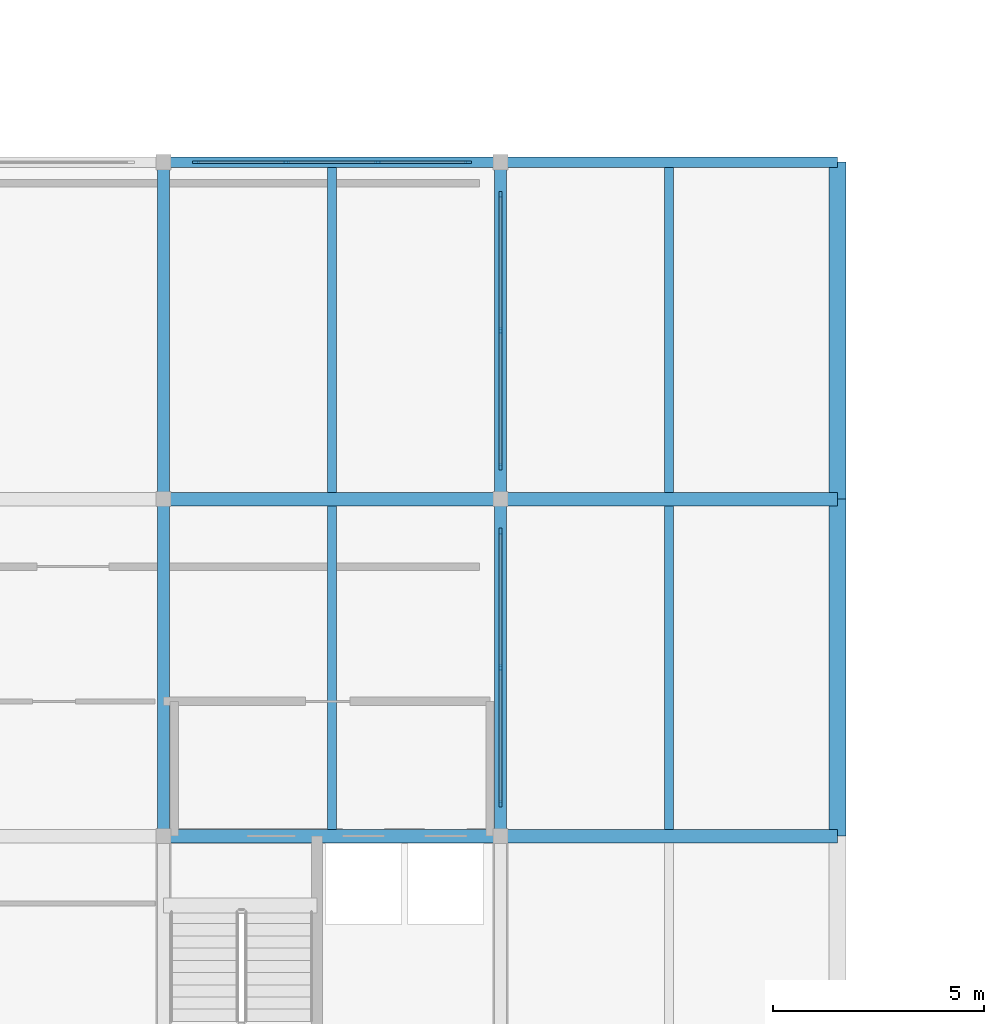
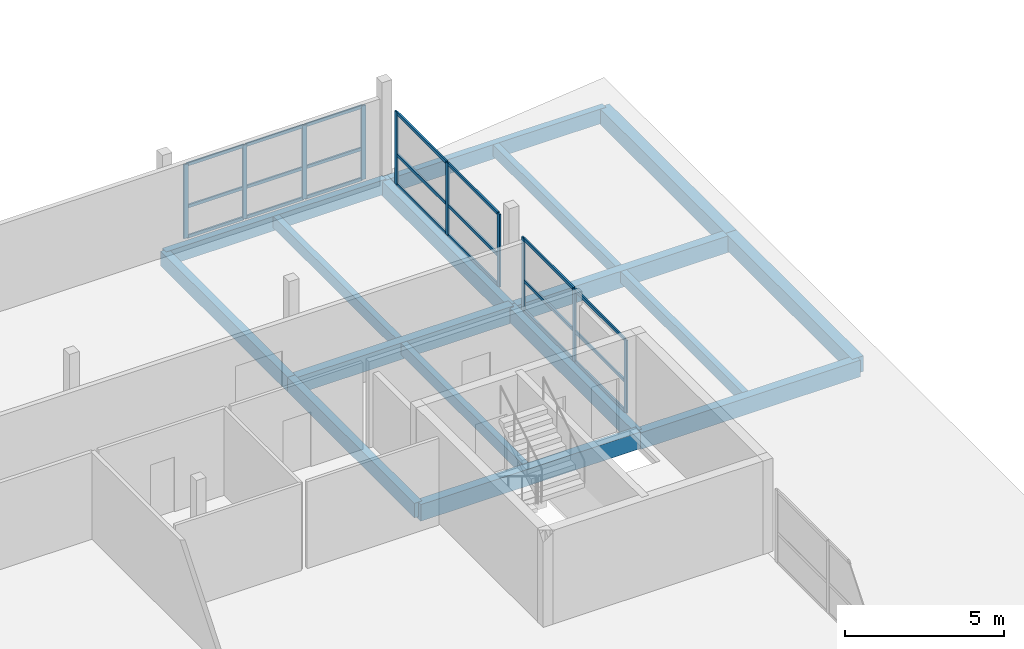
# One storey, part 9 of 25: 31 members, 16 beams, 3 elements without a shape of their own.
"""IFC4 building model written with IfcOpenShell, lengths in metres."""

from ifc_helpers import new_model, si_unit, direction, frame, origin, origin_2d, place, context, subcontext, project, spatial, rectangle, extrude, material, material_profile, profile_set, type_object, element, aggregate, save


model = new_model("IFC4")

# Units and contexts
model_context = context("Model", 3, precision=1e-05, world=origin(), true_north=direction((0.0, 1.0)))
body_context = subcontext(model_context, "Body", "Model", "MODEL_VIEW")
ifc_project = project(units=[si_unit("LENGTHUNIT", "METRE"), si_unit("AREAUNIT", "SQUARE_METRE"), si_unit("VOLUMEUNIT", "CUBIC_METRE"), si_unit("PLANEANGLEUNIT", "RADIAN"), si_unit("MASSUNIT", "GRAM", prefix="KILO")], contexts=[model_context])

# Site, building, storey
site_placement = place(None, origin())
site = spatial("IfcSite", under=ifc_project, at=site_placement, CompositionType="ELEMENT")
building_placement = place(site_placement, origin())
building = spatial("IfcBuilding", under=site, at=building_placement, Name="Vharandega Faculty of Natural Sciences", CompositionType="ELEMENT")
storey_placement = place(building_placement, frame((0.0, 0.0, 25.199951171875)))
storey = spatial("IfcBuildingStorey", under=building, at=storey_placement, Name="L06", CompositionType="ELEMENT", Elevation=25.199951171875)

# Curtain wall, members
ifc_material_1 = material(Name="Aluminium and solar-control glass curtain wall", Category="aluminium")
curtain_wall_type_1 = type_object("IfcCurtainWallType", Name="Unitised Curtain Wall System CW-23", PredefinedType="NOTDEFINED", material=ifc_material_1)
curtain_wall_1_placement = place(storey_placement, origin())
curtain_wall_1 = element("IfcCurtainWall", 1, at=curtain_wall_1_placement, inside=storey, type_object=curtain_wall_type_1, Name="Curtain Wall CW-L06-218", PredefinedType="NOTDEFINED")
ifc_material_2 = material(Name="Thermally broken aluminium 6063-T6", Category="aluminium")
ifc_material_profile_1 = material_profile(ifc_material_2, rectangle(XDim=0.06005859375, YDim=0.159912109375, at=origin_2d()), Name="ALU 60x160")
ifc_profile_set_1 = profile_set([ifc_material_profile_1], Name="Thermally broken aluminium 6063-T6")
member_type_1 = type_object("IfcMemberType", Name="CW Mullion 60x160", PredefinedType="MULLION", material=ifc_profile_set_1)
member_1_placement = place(storey_placement, frame((40.0, 48.77001953125, 0.0), z_axis=(0.0, 0.0, 1.0), x_axis=(-1.0, 0.0, 0.0)))
member_1 = element("IfcMember", 2, at=member_1_placement, type_object=member_type_1, Name="CW-23 mullion 1", PredefinedType="MULLION", context=body_context, shape_type="SweptSolid", body=[
    extrude(rectangle(XDim=0.06005859375, YDim=0.159912109375, at=origin_2d()), origin(), (0.0, 0.0, 1.0), 2.800048828125),
])
member_2_placement = place(storey_placement, frame((40.0, 52.0, 0.0), z_axis=(0.0, 0.0, 1.0), x_axis=(-1.0, 0.0, 0.0)))
member_2 = element("IfcMember", 3, at=member_2_placement, type_object=member_type_1, Name="CW-23 mullion 2", PredefinedType="MULLION", context=body_context, shape_type="SweptSolid", body=[
    extrude(rectangle(XDim=0.06005859375, YDim=0.159912109375, at=origin_2d()), origin(), (0.0, 0.0, 1.0), 2.800048828125),
])
member_3_placement = place(storey_placement, frame((40.0, 55.22998046875, 0.0), z_axis=(0.0, 0.0, 1.0), x_axis=(-1.0, 0.0, 0.0)))
member_3 = element("IfcMember", 4, at=member_3_placement, type_object=member_type_1, Name="CW-23 mullion 3", PredefinedType="MULLION", context=body_context, shape_type="SweptSolid", body=[
    extrude(rectangle(XDim=0.06005859375, YDim=0.159912109375, at=origin_2d()), origin(), (0.0, 0.0, 1.0), 2.800048828125),
])

ifc_material_3 = material(Name="Aluminium and solar-control glass curtain wall", Category="aluminium")
curtain_wall_type_2 = type_object("IfcCurtainWallType", Name="Unitised Curtain Wall System CW-24", PredefinedType="NOTDEFINED", material=ifc_material_3)
curtain_wall_2_placement = place(storey_placement, origin())
curtain_wall_2 = element("IfcCurtainWall", 5, at=curtain_wall_2_placement, inside=storey, type_object=curtain_wall_type_2, Name="Curtain Wall CW-L06-219", PredefinedType="NOTDEFINED")
member_4_placement = place(storey_placement, frame((40.0, 56.77001953125, 0.0), z_axis=(0.0, 0.0, 1.0), x_axis=(-1.0, 0.0, 0.0)))
member_4 = element("IfcMember", 6, at=member_4_placement, type_object=member_type_1, Name="CW-24 mullion 1", PredefinedType="MULLION", context=body_context, shape_type="SweptSolid", body=[
    extrude(rectangle(XDim=0.06005859375, YDim=0.159912109375, at=origin_2d()), origin(), (0.0, 0.0, 1.0), 2.800048828125),
])
member_5_placement = place(storey_placement, frame((40.0, 60.0, 0.0), z_axis=(0.0, 0.0, 1.0), x_axis=(-1.0, 0.0, 0.0)))
member_5 = element("IfcMember", 7, at=member_5_placement, type_object=member_type_1, Name="CW-24 mullion 2", PredefinedType="MULLION", context=body_context, shape_type="SweptSolid", body=[
    extrude(rectangle(XDim=0.06005859375, YDim=0.159912109375, at=origin_2d()), origin(), (0.0, 0.0, 1.0), 2.800048828125),
])
member_6_placement = place(storey_placement, frame((40.0, 63.22998046875, 0.0), z_axis=(0.0, 0.0, 1.0), x_axis=(-1.0, 0.0, 0.0)))
member_6 = element("IfcMember", 8, at=member_6_placement, type_object=member_type_1, Name="CW-24 mullion 3", PredefinedType="MULLION", context=body_context, shape_type="SweptSolid", body=[
    extrude(rectangle(XDim=0.06005859375, YDim=0.159912109375, at=origin_2d()), origin(), (0.0, 0.0, 1.0), 2.800048828125),
])

ifc_material_4 = material(Name="Aluminium and solar-control glass curtain wall", Category="aluminium")
curtain_wall_type_3 = type_object("IfcCurtainWallType", Name="Unitised Curtain Wall System CW-01", PredefinedType="NOTDEFINED", material=ifc_material_4)
curtain_wall_3_placement = place(storey_placement, origin())
curtain_wall_3 = element("IfcCurtainWall", 9, at=curtain_wall_3_placement, inside=storey, type_object=curtain_wall_type_3, Name="Curtain Wall CW-L06-224", PredefinedType="NOTDEFINED")
member_7_placement = place(storey_placement, frame((32.77001953125, 64.0, 0.0), z_axis=(0.0, 0.0, 1.0), x_axis=(0.0, 1.0, 0.0)))
member_7 = element("IfcMember", 10, at=member_7_placement, type_object=member_type_1, Name="CW-01 mullion 1", PredefinedType="MULLION", context=body_context, shape_type="SweptSolid", body=[
    extrude(rectangle(XDim=0.06005859375, YDim=0.159912109375, at=origin_2d()), origin(), (0.0, 0.0, 1.0), 2.840087890625),
])
member_8_placement = place(storey_placement, frame((34.913330078125, 64.0, 0.0), z_axis=(0.0, 0.0, 1.0), x_axis=(0.0, 1.0, 0.0)))
member_8 = element("IfcMember", 11, at=member_8_placement, type_object=member_type_1, Name="CW-01 mullion 2", PredefinedType="MULLION", context=body_context, shape_type="SweptSolid", body=[
    extrude(rectangle(XDim=0.06005859375, YDim=0.159912109375, at=origin_2d()), origin(), (0.0, 0.0, 1.0), 2.840087890625),
])
member_9_placement = place(storey_placement, frame((37.086669921875, 64.0, 0.0), z_axis=(0.0, 0.0, 1.0), x_axis=(0.0, 1.0, 0.0)))
member_9 = element("IfcMember", 12, at=member_9_placement, type_object=member_type_1, Name="CW-01 mullion 3", PredefinedType="MULLION", context=body_context, shape_type="SweptSolid", body=[
    extrude(rectangle(XDim=0.06005859375, YDim=0.159912109375, at=origin_2d()), origin(), (0.0, 0.0, 1.0), 2.840087890625),
])
member_10_placement = place(storey_placement, frame((39.22998046875, 64.0, 0.0), z_axis=(0.0, 0.0, 1.0), x_axis=(0.0, 1.0, 0.0)))
member_10 = element("IfcMember", 13, at=member_10_placement, type_object=member_type_1, Name="CW-01 mullion 4", PredefinedType="MULLION", context=body_context, shape_type="SweptSolid", body=[
    extrude(rectangle(XDim=0.06005859375, YDim=0.159912109375, at=origin_2d()), origin(), (0.0, 0.0, 1.0), 2.840087890625),
])

# Member
ifc_material_5 = material(Name="Thermally broken aluminium 6063-T6", Category="aluminium")
ifc_material_profile_2 = material_profile(ifc_material_5, rectangle(XDim=0.06005859375, YDim=0.1201171875, at=origin_2d()), Name="ALU 60x120")
ifc_profile_set_2 = profile_set([ifc_material_profile_2], Name="Thermally broken aluminium 6063-T6")
member_type_2 = type_object("IfcMemberType", Name="CW Transom 60x120", PredefinedType="USERDEFINED", material=ifc_profile_set_2)
member_11_placement = place(storey_placement, frame((40.0, 48.800048828125, 0.030029296875), z_axis=(0.0, 1.0, 0.0), x_axis=(-1.0, 0.0, 0.0)))
member_11 = element("IfcMember", 14, at=member_11_placement, type_object=member_type_2, Name="CW-23 transom 1.1", ObjectType="TRANSOM", PredefinedType="USERDEFINED", context=body_context, shape_type="SweptSolid", body=[
    extrude(rectangle(XDim=0.06005859375, YDim=0.1201171875, at=origin_2d()), origin(), (0.0, 0.0, 1.0), 3.169921875),
])

member_12_placement = place(storey_placement, frame((40.0, 48.800048828125, 1.176025390625), z_axis=(0.0, 1.0, 0.0), x_axis=(-1.0, 0.0, 0.0)))
member_12 = element("IfcMember", 15, at=member_12_placement, type_object=member_type_2, Name="CW-23 transom 1.2", ObjectType="TRANSOM", PredefinedType="USERDEFINED", context=body_context, shape_type="SweptSolid", body=[
    extrude(rectangle(XDim=0.06005859375, YDim=0.1201171875, at=origin_2d()), origin(), (0.0, 0.0, 1.0), 3.169921875),
])

member_13_placement = place(storey_placement, frame((40.0, 48.800048828125, 2.77001953125), z_axis=(0.0, 1.0, 0.0), x_axis=(-1.0, 0.0, 0.0)))
member_13 = element("IfcMember", 16, at=member_13_placement, type_object=member_type_2, Name="CW-23 transom 1.3", ObjectType="TRANSOM", PredefinedType="USERDEFINED", context=body_context, shape_type="SweptSolid", body=[
    extrude(rectangle(XDim=0.06005859375, YDim=0.1201171875, at=origin_2d()), origin(), (0.0, 0.0, 1.0), 3.169921875),
])

member_14_placement = place(storey_placement, frame((40.0, 52.030029296875, 0.030029296875), z_axis=(0.0, 1.0, 0.0), x_axis=(-1.0, 0.0, 0.0)))
member_14 = element("IfcMember", 17, at=member_14_placement, type_object=member_type_2, Name="CW-23 transom 2.1", ObjectType="TRANSOM", PredefinedType="USERDEFINED", context=body_context, shape_type="SweptSolid", body=[
    extrude(rectangle(XDim=0.06005859375, YDim=0.1201171875, at=origin_2d()), origin(), (0.0, 0.0, 1.0), 3.169921875),
])

member_15_placement = place(storey_placement, frame((40.0, 52.030029296875, 1.176025390625), z_axis=(0.0, 1.0, 0.0), x_axis=(-1.0, 0.0, 0.0)))
member_15 = element("IfcMember", 18, at=member_15_placement, type_object=member_type_2, Name="CW-23 transom 2.2", ObjectType="TRANSOM", PredefinedType="USERDEFINED", context=body_context, shape_type="SweptSolid", body=[
    extrude(rectangle(XDim=0.06005859375, YDim=0.1201171875, at=origin_2d()), origin(), (0.0, 0.0, 1.0), 3.169921875),
])

member_16_placement = place(storey_placement, frame((40.0, 52.030029296875, 2.77001953125), z_axis=(0.0, 1.0, 0.0), x_axis=(-1.0, 0.0, 0.0)))
member_16 = element("IfcMember", 19, at=member_16_placement, type_object=member_type_2, Name="CW-23 transom 2.3", ObjectType="TRANSOM", PredefinedType="USERDEFINED", context=body_context, shape_type="SweptSolid", body=[
    extrude(rectangle(XDim=0.06005859375, YDim=0.1201171875, at=origin_2d()), origin(), (0.0, 0.0, 1.0), 3.169921875),
])

aggregate(curtain_wall_1, [member_1, member_2, member_3, member_11, member_12, member_13, member_14, member_15, member_16])

member_17_placement = place(storey_placement, frame((40.0, 56.800048828125, 0.030029296875), z_axis=(0.0, 1.0, 0.0), x_axis=(-1.0, 0.0, 0.0)))
member_17 = element("IfcMember", 20, at=member_17_placement, type_object=member_type_2, Name="CW-24 transom 1.1", ObjectType="TRANSOM", PredefinedType="USERDEFINED", context=body_context, shape_type="SweptSolid", body=[
    extrude(rectangle(XDim=0.06005859375, YDim=0.1201171875, at=origin_2d()), origin(), (0.0, 0.0, 1.0), 3.169921875),
])

member_18_placement = place(storey_placement, frame((40.0, 56.800048828125, 1.176025390625), z_axis=(0.0, 1.0, 0.0), x_axis=(-1.0, 0.0, 0.0)))
member_18 = element("IfcMember", 21, at=member_18_placement, type_object=member_type_2, Name="CW-24 transom 1.2", ObjectType="TRANSOM", PredefinedType="USERDEFINED", context=body_context, shape_type="SweptSolid", body=[
    extrude(rectangle(XDim=0.06005859375, YDim=0.1201171875, at=origin_2d()), origin(), (0.0, 0.0, 1.0), 3.169921875),
])

member_19_placement = place(storey_placement, frame((40.0, 56.800048828125, 2.77001953125), z_axis=(0.0, 1.0, 0.0), x_axis=(-1.0, 0.0, 0.0)))
member_19 = element("IfcMember", 22, at=member_19_placement, type_object=member_type_2, Name="CW-24 transom 1.3", ObjectType="TRANSOM", PredefinedType="USERDEFINED", context=body_context, shape_type="SweptSolid", body=[
    extrude(rectangle(XDim=0.06005859375, YDim=0.1201171875, at=origin_2d()), origin(), (0.0, 0.0, 1.0), 3.169921875),
])

member_20_placement = place(storey_placement, frame((40.0, 60.030029296875, 0.030029296875), z_axis=(0.0, 1.0, 0.0), x_axis=(-1.0, 0.0, 0.0)))
member_20 = element("IfcMember", 23, at=member_20_placement, type_object=member_type_2, Name="CW-24 transom 2.1", ObjectType="TRANSOM", PredefinedType="USERDEFINED", context=body_context, shape_type="SweptSolid", body=[
    extrude(rectangle(XDim=0.06005859375, YDim=0.1201171875, at=origin_2d()), origin(), (0.0, 0.0, 1.0), 3.169921875),
])

member_21_placement = place(storey_placement, frame((40.0, 60.030029296875, 1.176025390625), z_axis=(0.0, 1.0, 0.0), x_axis=(-1.0, 0.0, 0.0)))
member_21 = element("IfcMember", 24, at=member_21_placement, type_object=member_type_2, Name="CW-24 transom 2.2", ObjectType="TRANSOM", PredefinedType="USERDEFINED", context=body_context, shape_type="SweptSolid", body=[
    extrude(rectangle(XDim=0.06005859375, YDim=0.1201171875, at=origin_2d()), origin(), (0.0, 0.0, 1.0), 3.169921875),
])

member_22_placement = place(storey_placement, frame((40.0, 60.030029296875, 2.77001953125), z_axis=(0.0, 1.0, 0.0), x_axis=(-1.0, 0.0, 0.0)))
member_22 = element("IfcMember", 25, at=member_22_placement, type_object=member_type_2, Name="CW-24 transom 2.3", ObjectType="TRANSOM", PredefinedType="USERDEFINED", context=body_context, shape_type="SweptSolid", body=[
    extrude(rectangle(XDim=0.06005859375, YDim=0.1201171875, at=origin_2d()), origin(), (0.0, 0.0, 1.0), 3.169921875),
])

aggregate(curtain_wall_2, [member_4, member_5, member_6, member_17, member_18, member_19, member_20, member_21, member_22])

member_23_placement = place(storey_placement, frame((32.800048828125, 64.0, 0.030029296875), z_axis=(1.0, 0.0, 0.0), x_axis=(0.0, 1.0, 0.0)))
member_23 = element("IfcMember", 26, at=member_23_placement, type_object=member_type_2, Name="CW-01 transom 1.1", ObjectType="TRANSOM", PredefinedType="USERDEFINED", context=body_context, shape_type="SweptSolid", body=[
    extrude(rectangle(XDim=0.06005859375, YDim=0.1201171875, at=origin_2d()), origin(), (0.0, 0.0, 1.0), 2.083251953125),
])

member_24_placement = place(storey_placement, frame((32.800048828125, 64.0, 1.19287109375), z_axis=(1.0, 0.0, 0.0), x_axis=(0.0, 1.0, 0.0)))
member_24 = element("IfcMember", 27, at=member_24_placement, type_object=member_type_2, Name="CW-01 transom 1.2", ObjectType="TRANSOM", PredefinedType="USERDEFINED", context=body_context, shape_type="SweptSolid", body=[
    extrude(rectangle(XDim=0.06005859375, YDim=0.1201171875, at=origin_2d()), origin(), (0.0, 0.0, 1.0), 2.083251953125),
])

member_25_placement = place(storey_placement, frame((32.800048828125, 64.0, 2.81005859375), z_axis=(1.0, 0.0, 0.0), x_axis=(0.0, 1.0, 0.0)))
member_25 = element("IfcMember", 28, at=member_25_placement, type_object=member_type_2, Name="CW-01 transom 1.3", ObjectType="TRANSOM", PredefinedType="USERDEFINED", context=body_context, shape_type="SweptSolid", body=[
    extrude(rectangle(XDim=0.06005859375, YDim=0.1201171875, at=origin_2d()), origin(), (0.0, 0.0, 1.0), 2.083251953125),
])

member_26_placement = place(storey_placement, frame((34.943359375, 64.0, 0.030029296875), z_axis=(1.0, 0.0, 0.0), x_axis=(0.0, 1.0, 0.0)))
member_26 = element("IfcMember", 29, at=member_26_placement, type_object=member_type_2, Name="CW-01 transom 2.1", ObjectType="TRANSOM", PredefinedType="USERDEFINED", context=body_context, shape_type="SweptSolid", body=[
    extrude(rectangle(XDim=0.06005859375, YDim=0.1201171875, at=origin_2d()), origin(), (0.0, 0.0, 1.0), 2.11328125),
])

member_27_placement = place(storey_placement, frame((34.943359375, 64.0, 1.19287109375), z_axis=(1.0, 0.0, 0.0), x_axis=(0.0, 1.0, 0.0)))
member_27 = element("IfcMember", 30, at=member_27_placement, type_object=member_type_2, Name="CW-01 transom 2.2", ObjectType="TRANSOM", PredefinedType="USERDEFINED", context=body_context, shape_type="SweptSolid", body=[
    extrude(rectangle(XDim=0.06005859375, YDim=0.1201171875, at=origin_2d()), origin(), (0.0, 0.0, 1.0), 2.11328125),
])

member_28_placement = place(storey_placement, frame((34.943359375, 64.0, 2.81005859375), z_axis=(1.0, 0.0, 0.0), x_axis=(0.0, 1.0, 0.0)))
member_28 = element("IfcMember", 31, at=member_28_placement, type_object=member_type_2, Name="CW-01 transom 2.3", ObjectType="TRANSOM", PredefinedType="USERDEFINED", context=body_context, shape_type="SweptSolid", body=[
    extrude(rectangle(XDim=0.06005859375, YDim=0.1201171875, at=origin_2d()), origin(), (0.0, 0.0, 1.0), 2.11328125),
])

member_29_placement = place(storey_placement, frame((37.11669921875, 64.0, 0.030029296875), z_axis=(1.0, 0.0, 0.0), x_axis=(0.0, 1.0, 0.0)))
member_29 = element("IfcMember", 32, at=member_29_placement, type_object=member_type_2, Name="CW-01 transom 3.1", ObjectType="TRANSOM", PredefinedType="USERDEFINED", context=body_context, shape_type="SweptSolid", body=[
    extrude(rectangle(XDim=0.06005859375, YDim=0.1201171875, at=origin_2d()), origin(), (0.0, 0.0, 1.0), 2.083251953125),
])

member_30_placement = place(storey_placement, frame((37.11669921875, 64.0, 1.19287109375), z_axis=(1.0, 0.0, 0.0), x_axis=(0.0, 1.0, 0.0)))
member_30 = element("IfcMember", 33, at=member_30_placement, type_object=member_type_2, Name="CW-01 transom 3.2", ObjectType="TRANSOM", PredefinedType="USERDEFINED", context=body_context, shape_type="SweptSolid", body=[
    extrude(rectangle(XDim=0.06005859375, YDim=0.1201171875, at=origin_2d()), origin(), (0.0, 0.0, 1.0), 2.083251953125),
])

member_31_placement = place(storey_placement, frame((37.11669921875, 64.0, 2.81005859375), z_axis=(1.0, 0.0, 0.0), x_axis=(0.0, 1.0, 0.0)))
member_31 = element("IfcMember", 34, at=member_31_placement, type_object=member_type_2, Name="CW-01 transom 3.3", ObjectType="TRANSOM", PredefinedType="USERDEFINED", context=body_context, shape_type="SweptSolid", body=[
    extrude(rectangle(XDim=0.06005859375, YDim=0.1201171875, at=origin_2d()), origin(), (0.0, 0.0, 1.0), 2.083251953125),
])

aggregate(curtain_wall_3, [member_7, member_8, member_9, member_10, member_23, member_24, member_25, member_26, member_27, member_28, member_29, member_30, member_31])

# Beams
ifc_material_6 = material(Name="Glulam GL28h", Category="wood")
ifc_material_profile_3 = material_profile(ifc_material_6, rectangle(XDim=0.280029296875, YDim=0.56005859375, at=origin_2d()), Name="GL28h 280x560")
ifc_profile_set_3 = profile_set([ifc_material_profile_3], Name="Glulam GL28h")
beam_type_1 = type_object("IfcBeamType", Name="Glulam Floor Beam 280x560", PredefinedType="BEAM", material=ifc_profile_set_3)
for number, where, z_axis, x_axis, name in (
    (35, (32.0, 48.0, -0.47998046875), (0.0, 1.0, 0.0), (-1.0, 0.0, 0.0), "Beam L06 5/G-H"),
    (36, (32.0, 56.0, -0.47998046875), (0.0, 1.0, 0.0), (-1.0, 0.0, 0.0), "Beam L06 5/H-J"),
    (37, (40.0, 48.0, -0.52001953125), (0.0, 1.0, 0.0), (-1.0, 0.0, 0.0), "Beam L06 6/G-H"),
    (38, (40.0, 56.0, -0.52001953125), (0.0, 1.0, 0.0), (-1.0, 0.0, 0.0), "Beam L06 6/H-J"),
):
    element("IfcBeam", number, at=place(storey_placement, frame(where, z_axis=z_axis, x_axis=x_axis)), inside=storey, type_object=beam_type_1, Name=name, PredefinedType="BEAM", context=body_context, shape_type="SweptSolid", body=[
        extrude(rectangle(XDim=0.280029296875, YDim=0.56005859375, at=origin_2d()), origin(), (0.0, 0.0, 1.0), 8.0),
    ])
ifc_material_7 = material(Name="Glulam GL28h", Category="wood")
ifc_material_profile_4 = material_profile(ifc_material_7, rectangle(XDim=0.320068359375, YDim=0.639892578125, at=origin_2d()), Name="GL28h 320x640")
ifc_profile_set_4 = profile_set([ifc_material_profile_4], Name="Glulam GL28h")
beam_type_2 = type_object("IfcBeamType", Name="Glulam Floor Beam 320x640", PredefinedType="BEAM", material=ifc_profile_set_4)
for number, where, z_axis, x_axis, name in (
    (39, (32.0, 48.0, -0.52001953125), (1.0, 0.0, 0.0), (0.0, 1.0, 0.0), "Beam L06 G/5-6"),
    (40, (40.0, 48.0, -0.56005859375), (1.0, 0.0, 0.0), (0.0, 1.0, 0.0), "Beam L06 G/6-7"),
    (41, (32.0, 56.0, -0.52001953125), (1.0, 0.0, 0.0), (0.0, 1.0, 0.0), "Beam L06 H/5-6"),
    (42, (40.0, 56.0, -0.56005859375), (1.0, 0.0, 0.0), (0.0, 1.0, 0.0), "Beam L06 H/6-7"),
):
    element("IfcBeam", number, at=place(storey_placement, frame(where, z_axis=z_axis, x_axis=x_axis)), inside=storey, type_object=beam_type_2, Name=name, PredefinedType="BEAM", context=body_context, shape_type="SweptSolid", body=[
        extrude(rectangle(XDim=0.320068359375, YDim=0.639892578125, at=origin_2d()), origin(), (0.0, 0.0, 1.0), 8.0),
    ])
ifc_material_8 = material(Name="Glulam GL28h", Category="wood")
ifc_material_profile_5 = material_profile(ifc_material_8, rectangle(XDim=0.219970703125, YDim=0.43994140625, at=origin_2d()), Name="GL28h 220x440")
ifc_profile_set_5 = profile_set([ifc_material_profile_5], Name="Glulam GL28h")
beam_type_3 = type_object("IfcBeamType", Name="Glulam Secondary Joist 220x440", PredefinedType="JOIST", material=ifc_profile_set_5)
beam_1_placement = place(storey_placement, frame((36.0, 48.159912109375, -0.419921875), z_axis=(0.0, 1.0, 0.0), x_axis=(-1.0, 0.0, 0.0)))
element("IfcBeam", 43, at=beam_1_placement, inside=storey, type_object=beam_type_3, Name="Secondary Joist L06 5-6/G-H", PredefinedType="JOIST", context=body_context, shape_type="SweptSolid", body=[
    extrude(rectangle(XDim=0.219970703125, YDim=0.43994140625, at=origin_2d()), origin(), (0.0, 0.0, 1.0), 7.68017578125),
])
beam_2_placement = place(storey_placement, frame((36.0, 56.159912109375, -0.419921875), z_axis=(0.0, 1.0, 0.0), x_axis=(-1.0, 0.0, 0.0)))
element("IfcBeam", 44, at=beam_2_placement, inside=storey, type_object=beam_type_3, Name="Secondary Joist L06 5-6/H-J", PredefinedType="JOIST", context=body_context, shape_type="SweptSolid", body=[
    extrude(rectangle(XDim=0.219970703125, YDim=0.43994140625, at=origin_2d()), origin(), (0.0, 0.0, 1.0), 7.719970703125),
])
beam_3_placement = place(storey_placement, frame((44.0, 48.159912109375, -0.4599609375), z_axis=(0.0, 1.0, 0.0), x_axis=(-1.0, 0.0, 0.0)))
element("IfcBeam", 45, at=beam_3_placement, inside=storey, type_object=beam_type_3, Name="Secondary Joist L06 6-7/G-H", PredefinedType="JOIST", context=body_context, shape_type="SweptSolid", body=[
    extrude(rectangle(XDim=0.219970703125, YDim=0.43994140625, at=origin_2d()), origin(), (0.0, 0.0, 1.0), 7.68017578125),
])
beam_4_placement = place(storey_placement, frame((44.0, 56.159912109375, -0.4599609375), z_axis=(0.0, 1.0, 0.0), x_axis=(-1.0, 0.0, 0.0)))
element("IfcBeam", 46, at=beam_4_placement, inside=storey, type_object=beam_type_3, Name="Secondary Joist L06 6-7/H-J", PredefinedType="JOIST", context=body_context, shape_type="SweptSolid", body=[
    extrude(rectangle(XDim=0.219970703125, YDim=0.43994140625, at=origin_2d()), origin(), (0.0, 0.0, 1.0), 7.719970703125),
])
ifc_material_9 = material(Name="Glulam GL28h", Category="wood")
ifc_material_profile_6 = material_profile(ifc_material_9, rectangle(XDim=0.239990234375, YDim=0.56005859375, at=origin_2d()), Name="GL28h 240x560")
ifc_profile_set_6 = profile_set([ifc_material_profile_6], Name="Glulam GL28h")
beam_type_4 = type_object("IfcBeamType", Name="Glulam Spandrel Edge Beam 240x560", PredefinedType="SPANDREL", material=ifc_profile_set_6)
for number, where, z_axis, x_axis, name in (
    (47, (32.0, 64.0, -0.47998046875), (1.0, 0.0, 0.0), (0.0, 1.0, 0.0), "Beam L06 J/5-6"),
    (48, (40.0, 64.0, -0.52001953125), (1.0, 0.0, 0.0), (0.0, 1.0, 0.0), "Beam L06 J/6-7"),
):
    element("IfcBeam", number, at=place(storey_placement, frame(where, z_axis=z_axis, x_axis=x_axis)), inside=storey, type_object=beam_type_4, Name=name, PredefinedType="SPANDREL", context=body_context, shape_type="SweptSolid", body=[
        extrude(rectangle(XDim=0.239990234375, YDim=0.56005859375, at=origin_2d()), origin(), (0.0, 0.0, 1.0), 8.0),
    ])
ifc_material_10 = material(Name="Glulam GL32h", Category="wood")
ifc_material_profile_7 = material_profile(ifc_material_10, rectangle(XDim=0.39990234375, YDim=0.60009765625, at=origin_2d()), Name="GL32h 400x600")
ifc_profile_set_7 = profile_set([ifc_material_profile_7], Name="Glulam GL32h")
beam_type_5 = type_object("IfcBeamType", Name="Glulam Spine Girder 400x600", PredefinedType="BEAM", material=ifc_profile_set_7)
for number, where, z_axis, x_axis, name in (
    (49, (48.0, 48.0, -0.5400390625), (0.0, 1.0, 0.0), (-1.0, 0.0, 0.0), "Beam L06 7/G-H"),
    (50, (48.0, 56.0, -0.5400390625), (0.0, 1.0, 0.0), (-1.0, 0.0, 0.0), "Beam L06 7/H-J"),
):
    element("IfcBeam", number, at=place(storey_placement, frame(where, z_axis=z_axis, x_axis=x_axis)), inside=storey, type_object=beam_type_5, Name=name, PredefinedType="BEAM", context=body_context, shape_type="SweptSolid", body=[
        extrude(rectangle(XDim=0.39990234375, YDim=0.60009765625, at=origin_2d()), origin(), (0.0, 0.0, 1.0), 8.0),
    ])

save(model, "model.ifc")
